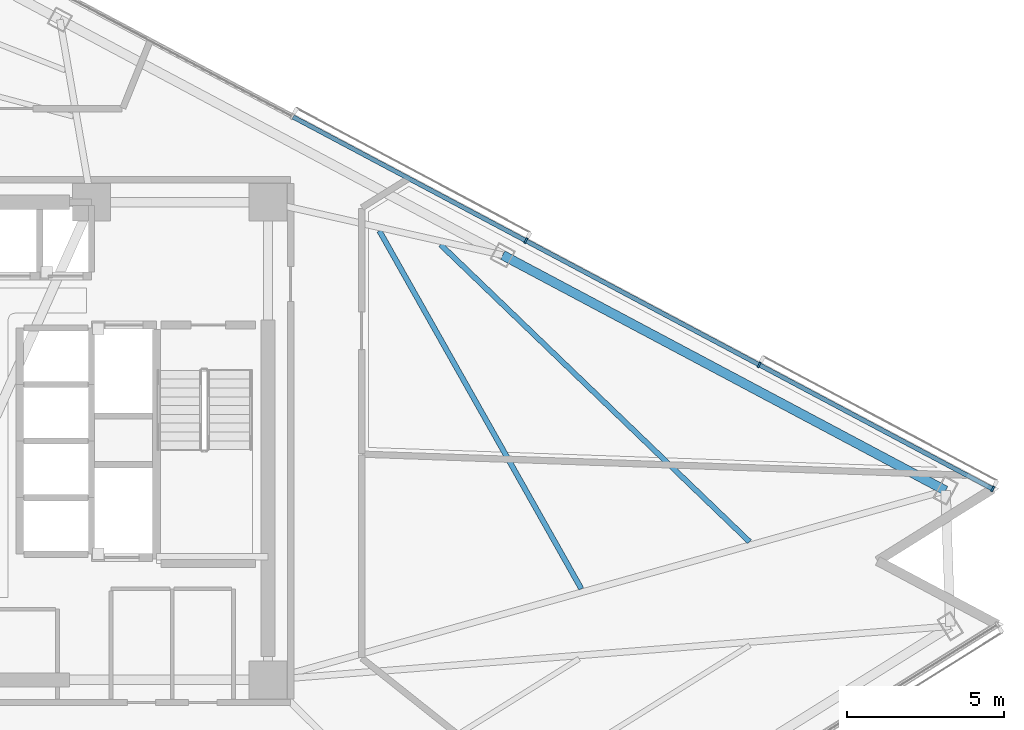
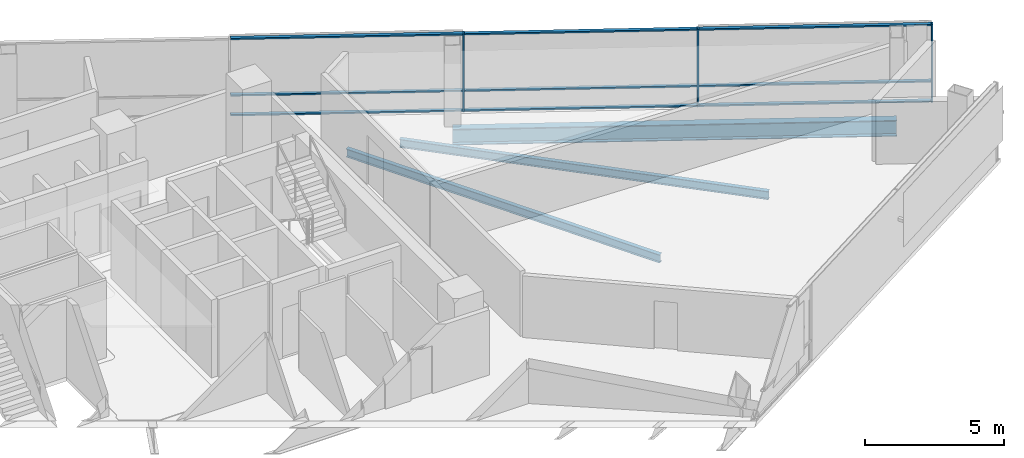
# One storey, part 10 of 20: 12 members, 3 beams, 1 element without a shape of its own.
"""IFC4 building model written with IfcOpenShell, lengths in metres."""

from ifc_helpers import new_model, si_unit, direction, frame, origin, origin_2d, place, context, subcontext, project, spatial, rectangle, i_section, extrude, material, layer, layer_set, material_profile, profile_set, type_object, element, aggregate, save


model = new_model("IFC4")

# Units and contexts
model_context = context("Model", 3, precision=1e-05, world=origin(), true_north=direction((0.0, 1.0)))
body_context = subcontext(model_context, "Body", "Model", "MODEL_VIEW")
ifc_project = project(units=[si_unit("LENGTHUNIT", "METRE"), si_unit("AREAUNIT", "SQUARE_METRE"), si_unit("VOLUMEUNIT", "CUBIC_METRE"), si_unit("PLANEANGLEUNIT", "RADIAN"), si_unit("MASSUNIT", "GRAM", prefix="KILO")], contexts=[model_context])

# Site, building, storey
site_placement = place(None, origin())
site = spatial("IfcSite", under=ifc_project, at=site_placement, CompositionType="ELEMENT")
building_placement = place(site_placement, origin())
building = spatial("IfcBuilding", under=site, at=building_placement, Name="Tharavind Bronze Gate", CompositionType="ELEMENT")
storey_placement = place(building_placement, frame((0.0, 0.0, 146.0)))
storey = spatial("IfcBuildingStorey", under=building, at=storey_placement, Name="L37", CompositionType="ELEMENT", Elevation=146.0)

# Curtain wall, members
ifc_material_1 = material(Name="Anodised Bronze Aluminium", Category="aluminium")
ifc_layer = layer(ifc_material_1, 0.219970703125)
ifc_layer_set = layer_set([ifc_layer], Name="Anodised Bronze Aluminium")
curtain_wall_type = type_object("IfcCurtainWallType", Name="UNITISED CURTAIN WALL MID OFFICE", PredefinedType="USERDEFINED", material=ifc_layer_set)
curtain_wall_placement = place(storey_placement, origin())
curtain_wall = element("IfcCurtainWall", 1, at=curtain_wall_placement, inside=storey, type_object=curtain_wall_type, Name="L37 unitised curtain wall mid office CW-L37-S3", ObjectType="UNITISED CURTAIN WALL", PredefinedType="USERDEFINED")
member_type_1 = type_object("IfcMemberType", Name="CURTAIN WALL BRONZE MULLION 65X180", PredefinedType="MULLION", material=ifc_material_1)
member_1_placement = place(storey_placement, frame((31.9638671875, -1.5224609375, 0.0), z_axis=(0.0, 0.0, 1.0), x_axis=(-0.882947592859, 0.469471562786, 0.0)))
member_1 = element("IfcMember", 2, at=member_1_placement, type_object=member_type_1, Name="CW-L37-S3 mullion 1", PredefinedType="MULLION", context=body_context, shape_type="SweptSolid", body=[
    extrude(rectangle(XDim=0.06494140625, YDim=0.179931640625, at=origin_2d()), origin(), (0.0, 0.0, 1.0), 3.409912109375),
])
member_2_placement = place(storey_placement, frame((24.5341796875, 2.427978515625, 0.0), z_axis=(0.0, 0.0, 1.0), x_axis=(-0.882947592859, 0.469471562786, 0.0)))
member_2 = element("IfcMember", 3, at=member_2_placement, type_object=member_type_1, Name="CW-L37-S3 mullion 2", PredefinedType="MULLION", context=body_context, shape_type="SweptSolid", body=[
    extrude(rectangle(XDim=0.06494140625, YDim=0.179931640625, at=origin_2d()), origin(), (0.0, 0.0, 1.0), 3.409912109375),
])
member_3_placement = place(storey_placement, frame((17.1044921875, 6.37841796875, 0.0), z_axis=(0.0, 0.0, 1.0), x_axis=(-0.882947592859, 0.469471562786, 0.0)))
member_3 = element("IfcMember", 4, at=member_3_placement, type_object=member_type_1, Name="CW-L37-S3 mullion 3", PredefinedType="MULLION", context=body_context, shape_type="SweptSolid", body=[
    extrude(rectangle(XDim=0.06494140625, YDim=0.179931640625, at=origin_2d()), origin(), (0.0, 0.0, 1.0), 3.409912109375),
])
member_type_2 = type_object("IfcMemberType", Name="CURTAIN WALL BRONZE TRANSOM 65X140", PredefinedType="USERDEFINED", material=ifc_material_1)
member_4_placement = place(storey_placement, frame((28.2490234375, 0.45263671875, 0.0), z_axis=(0.0, 0.0, 1.0), x_axis=(-0.882947592859, 0.469471562786, 0.0)))
member_4 = element("IfcMember", 5, at=member_4_placement, type_object=member_type_2, Name="CW-L37-S3 transom TB1", ObjectType="TRANSOM", PredefinedType="USERDEFINED", context=body_context, shape_type="SweptSolid", body=[
    extrude(rectangle(XDim=8.361572265625, YDim=0.139892578125, at=origin_2d()), origin(), (0.0, 0.0, 1.0), 0.06494140625),
])
member_5_placement = place(storey_placement, frame((28.2490234375, 0.45263671875, 0.867431640625), z_axis=(0.0, 0.0, 1.0), x_axis=(-0.882947592859, 0.469471562786, 0.0)))
member_5 = element("IfcMember", 6, at=member_5_placement, type_object=member_type_2, Name="CW-L37-S3 transom TS1", ObjectType="TRANSOM", PredefinedType="USERDEFINED", context=body_context, shape_type="SweptSolid", body=[
    extrude(rectangle(XDim=8.361572265625, YDim=0.139892578125, at=origin_2d()), origin(), (0.0, 0.0, 1.0), 0.06494140625),
])
member_6_placement = place(storey_placement, frame((28.2490234375, 0.45263671875, 3.344970703125), z_axis=(0.0, 0.0, 1.0), x_axis=(-0.882947592859, 0.469471562786, 0.0)))
member_6 = element("IfcMember", 7, at=member_6_placement, type_object=member_type_2, Name="CW-L37-S3 transom TT1", ObjectType="TRANSOM", PredefinedType="USERDEFINED", context=body_context, shape_type="SweptSolid", body=[
    extrude(rectangle(XDim=8.361572265625, YDim=0.139892578125, at=origin_2d()), origin(), (0.0, 0.0, 1.0), 0.06494140625),
])
member_7_placement = place(storey_placement, frame((20.8193359375, 4.403076171875, 0.0), z_axis=(0.0, 0.0, 1.0), x_axis=(-0.882947592859, 0.469471562786, 0.0)))
member_7 = element("IfcMember", 8, at=member_7_placement, type_object=member_type_2, Name="CW-L37-S3 transom TB2", ObjectType="TRANSOM", PredefinedType="USERDEFINED", context=body_context, shape_type="SweptSolid", body=[
    extrude(rectangle(XDim=8.361572265625, YDim=0.139892578125, at=origin_2d()), origin(), (0.0, 0.0, 1.0), 0.06494140625),
])
member_8_placement = place(storey_placement, frame((20.8193359375, 4.403076171875, 0.867431640625), z_axis=(0.0, 0.0, 1.0), x_axis=(-0.882947592859, 0.469471562786, 0.0)))
member_8 = element("IfcMember", 9, at=member_8_placement, type_object=member_type_2, Name="CW-L37-S3 transom TS2", ObjectType="TRANSOM", PredefinedType="USERDEFINED", context=body_context, shape_type="SweptSolid", body=[
    extrude(rectangle(XDim=8.361572265625, YDim=0.139892578125, at=origin_2d()), origin(), (0.0, 0.0, 1.0), 0.06494140625),
])
member_9_placement = place(storey_placement, frame((20.8193359375, 4.403076171875, 3.344970703125), z_axis=(0.0, 0.0, 1.0), x_axis=(-0.882947592859, 0.469471562786, 0.0)))
member_9 = element("IfcMember", 10, at=member_9_placement, type_object=member_type_2, Name="CW-L37-S3 transom TT2", ObjectType="TRANSOM", PredefinedType="USERDEFINED", context=body_context, shape_type="SweptSolid", body=[
    extrude(rectangle(XDim=8.361572265625, YDim=0.139892578125, at=origin_2d()), origin(), (0.0, 0.0, 1.0), 0.06494140625),
])
member_10_placement = place(storey_placement, frame((13.389892578125, 8.353515625, 0.0), z_axis=(0.0, 0.0, 1.0), x_axis=(-0.882947592859, 0.469471562786, 0.0)))
member_10 = element("IfcMember", 11, at=member_10_placement, type_object=member_type_2, Name="CW-L37-S3 transom TB3", ObjectType="TRANSOM", PredefinedType="USERDEFINED", context=body_context, shape_type="SweptSolid", body=[
    extrude(rectangle(XDim=8.361572265625, YDim=0.139892578125, at=origin_2d()), origin(), (0.0, 0.0, 1.0), 0.06494140625),
])
member_11_placement = place(storey_placement, frame((13.389892578125, 8.353515625, 0.867431640625), z_axis=(0.0, 0.0, 1.0), x_axis=(-0.882947592859, 0.469471562786, 0.0)))
member_11 = element("IfcMember", 12, at=member_11_placement, type_object=member_type_2, Name="CW-L37-S3 transom TS3", ObjectType="TRANSOM", PredefinedType="USERDEFINED", context=body_context, shape_type="SweptSolid", body=[
    extrude(rectangle(XDim=8.361572265625, YDim=0.139892578125, at=origin_2d()), origin(), (0.0, 0.0, 1.0), 0.06494140625),
])
member_12_placement = place(storey_placement, frame((13.389892578125, 8.353515625, 3.344970703125), z_axis=(0.0, 0.0, 1.0), x_axis=(-0.882947592859, 0.469471562786, 0.0)))
member_12 = element("IfcMember", 13, at=member_12_placement, type_object=member_type_2, Name="CW-L37-S3 transom TT3", ObjectType="TRANSOM", PredefinedType="USERDEFINED", context=body_context, shape_type="SweptSolid", body=[
    extrude(rectangle(XDim=8.361572265625, YDim=0.139892578125, at=origin_2d()), origin(), (0.0, 0.0, 1.0), 0.06494140625),
])
aggregate(curtain_wall, [member_1, member_2, member_3, member_4, member_5, member_6, member_7, member_8, member_9, member_10, member_11, member_12])

# Beams
ifc_material_2 = material(Name="Steel S355", Category="steel")
ifc_material_profile_1 = material_profile(ifc_material_2, i_section(OverallWidth=0.300048828125, OverallDepth=0.699951171875, WebThickness=0.01708984375, FlangeThickness=0.031982421875, at=origin_2d()), Name="HE700B")
ifc_profile_set_1 = profile_set([ifc_material_profile_1], Name="Steel S355")
beam_type_1 = type_object("IfcBeamType", Name="RING GIRDER HE700B", PredefinedType="USERDEFINED", material=ifc_profile_set_1)
beam_1_placement = place(storey_placement, frame((30.46484375, -1.57470703125, -0.5400390625), z_axis=(-0.882951706672, 0.469463825747, 0.0), x_axis=(-0.469463825747, -0.882951706672, 0.0)))
element("IfcBeam", 14, at=beam_1_placement, inside=storey, type_object=beam_type_1, Name="L37 ring girder he700b BM-L37-PRG09", ObjectType="GIRDER", PredefinedType="USERDEFINED", context=body_context, shape_type="SweptSolid", body=[
    extrude(i_section(OverallWidth=0.300048828125, OverallDepth=0.699951171875, WebThickness=0.01708984375, FlangeThickness=0.031982421875, at=origin_2d()), origin(), (0.0, 0.0, 1.0), 15.963134765625),
])
ifc_material_profile_2 = material_profile(ifc_material_2, i_section(OverallWidth=0.169921875, OverallDepth=0.360107421875, WebThickness=0.008056640625, FlangeThickness=0.0126953125, at=origin_2d()), Name="IPE360")
ifc_profile_set_2 = profile_set([ifc_material_profile_2], Name="Steel S355")
beam_type_2 = type_object("IfcBeamType", Name="SECONDARY FLOOR JOIST IPE360", PredefinedType="JOIST", material=ifc_profile_set_2)
beam_2_placement = place(storey_placement, frame((18.87255859375, -4.70068359375, -0.3701171875), z_axis=(-0.491359669612, 0.870956758444, 0.0), x_axis=(-0.870956758444, -0.491359669612, 0.0)))
element("IfcBeam", 15, at=beam_2_placement, inside=storey, type_object=beam_type_2, Name="L37 secondary floor joist ipe360 BM-L37-JSTA09", PredefinedType="JOIST", context=body_context, shape_type="SweptSolid", body=[
    extrude(i_section(OverallWidth=0.169921875, OverallDepth=0.360107421875, WebThickness=0.008056640625, FlangeThickness=0.0126953125, at=origin_2d()), origin(), (0.0, 0.0, 1.0), 13.08056640625),
])
beam_3_placement = place(storey_placement, frame((24.22802734375, -3.20458984375, -0.3701171875), z_axis=(-0.720825502564, 0.693116580997, 0.0), x_axis=(-0.693116580997, -0.720825502564, 0.0)))
element("IfcBeam", 16, at=beam_3_placement, inside=storey, type_object=beam_type_2, Name="L37 secondary floor joist ipe360 BM-L37-JSTB09", PredefinedType="JOIST", context=body_context, shape_type="SweptSolid", body=[
    extrude(i_section(OverallWidth=0.169921875, OverallDepth=0.360107421875, WebThickness=0.008056640625, FlangeThickness=0.0126953125, at=origin_2d()), origin(), (0.0, 0.0, 1.0), 13.648193359375),
])

save(model, "model.ifc")
